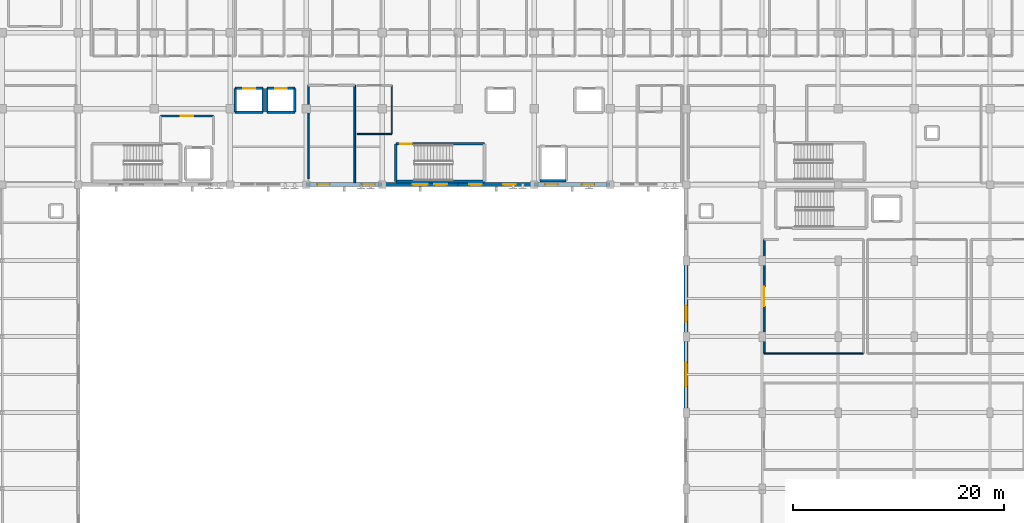
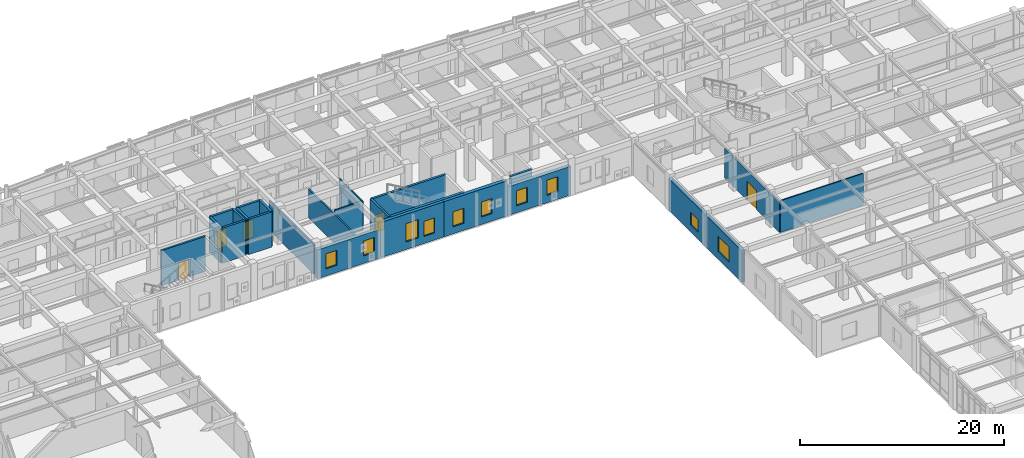
# One storey, part 80 of 106: 25 walls, 10 windows, 5 doors, 15 openings.
"""IFC4 building model written with IfcOpenShell, lengths in metres."""

from ifc_helpers import new_model, si_unit, direction, frame, frame_2d, origin, place, context, subcontext, project, spatial, rectangle, extrude, material, layer, layer_set, type_object, element, fill, save


model = new_model("IFC4")

# Units and contexts
model_context = context("Model", 3, precision=1e-05, world=origin(), true_north=direction((0.0, 1.0)))
body_context = subcontext(model_context, "Body", "Model", "MODEL_VIEW")
ifc_project = project(units=[si_unit("LENGTHUNIT", "METRE"), si_unit("AREAUNIT", "SQUARE_METRE"), si_unit("VOLUMEUNIT", "CUBIC_METRE"), si_unit("PLANEANGLEUNIT", "RADIAN"), si_unit("MASSUNIT", "GRAM", prefix="KILO")], contexts=[model_context])

# Site, building, storey
site_placement = place(None, origin())
site = spatial("IfcSite", under=ifc_project, at=site_placement, CompositionType="ELEMENT")
building_placement = place(site_placement, origin())
building = spatial("IfcBuilding", under=site, at=building_placement, Name="Carrowvane Square Congress Hotel", CompositionType="ELEMENT")
storey_placement = place(building_placement, frame((0.0, 0.0, 10.5)))
storey = spatial("IfcBuildingStorey", under=building, at=storey_placement, Name="L02", CompositionType="ELEMENT", Elevation=10.5)

# Wall, opening, window
ifc_material_1 = material(Name="Glazed terracotta rainscreen", Category="masonry")
ifc_layer_1 = layer(ifc_material_1, 0.360107421875)
ifc_layer_set_1 = layer_set([ifc_layer_1], Name="Glazed terracotta rainscreen")
wall_type_1 = type_object("IfcWallType", Name="WL-EXT-TC360", PredefinedType="STANDARD", material=ifc_layer_set_1)
wall_1_placement = place(storey_placement, frame((126.800048828125, 70.199951171875, 0.0), z_axis=(0.0, 0.0, 1.0), x_axis=(0.0, 1.0, 0.0)))
wall_1 = element("IfcWall", 1, at=wall_1_placement, inside=storey, type_object=wall_type_1, Name="L02 exterior facade wall 312", PredefinedType="STANDARD", context=body_context, shape_type="SweptSolid", body=[
    extrude(rectangle(XDim=7.199951171875, YDim=0.360107421875, at=frame_2d((3.60009765625, 0.0))), origin(), (0.0, 0.0, 1.0), 3.795654296875),
])
opening_1_placement = place(wall_1_placement, frame((2.47509765625, 0.0, 0.89990234375)))
opening_1 = element("IfcOpeningElement", 2, at=opening_1_placement, cuts=wall_1, Name="Opening W-27", PredefinedType="OPENING", context=body_context, shape_type="SweptSolid", body=[
    extrude(rectangle(XDim=2.25, YDim=1.85009765625, at=frame_2d((1.125, 0.925048828125))), frame((0.0, 0.18994140625, 0.0), z_axis=(0.0, -1.0, 0.0), x_axis=(1.0, 0.0, 0.0)), (0.0, 0.0, 1.0), 0.380126953125),
])
ifc_material_2 = material(Name="Double-glazed low-E glass", Category="glass")
window_type_1 = type_object("IfcWindowType", Name="WIN-27", PartitioningType="SINGLE_PANEL", PredefinedType="WINDOW", material=ifc_material_2)
window_1_placement = place(opening_1_placement, origin())
window_1 = element("IfcWindow", 3, at=window_1_placement, inside=storey, type_object=window_type_1, Name="L02 facade window 129", OverallHeight=1.85009765625, OverallWidth=2.25, PartitioningType="SINGLE_PANEL", PredefinedType="WINDOW", context=body_context, shape_type="SweptSolid", body=[
    extrude(rectangle(XDim=2.25, YDim=1.85009765625, at=frame_2d((1.125, 0.925048828125))), frame((0.0, 0.030029296875, 0.0), z_axis=(0.0, -1.0, 0.0), x_axis=(1.0, 0.0, 0.0)), (0.0, 0.0, 1.0), 0.06005859375),
])
fill(opening_1, window_1)

wall_2_placement = place(storey_placement, frame((126.800048828125, 77.39990234375, 0.0), z_axis=(0.0, 0.0, 1.0), x_axis=(0.0, 1.0, 0.0)))
wall_2 = element("IfcWall", 4, at=wall_2_placement, inside=storey, type_object=wall_type_1, Name="L02 exterior facade wall 313", PredefinedType="STANDARD", context=body_context, shape_type="SweptSolid", body=[
    extrude(rectangle(XDim=7.2001953125, YDim=0.360107421875, at=frame_2d((3.60009765625, 0.0))), origin(), (0.0, 0.0, 1.0), 3.795654296875),
])
opening_2_placement = place(wall_2_placement, frame((1.425048828125, 0.0, 0.800048828125)))
opening_2 = element("IfcOpeningElement", 5, at=opening_2_placement, cuts=wall_2, Name="Opening W-15", PredefinedType="OPENING", context=body_context, shape_type="SweptSolid", body=[
    extrude(rectangle(XDim=1.5, YDim=1.5, at=frame_2d((0.75, 0.75))), frame((0.0, 0.18994140625, 0.0), z_axis=(0.0, -1.0, 0.0), x_axis=(1.0, 0.0, 0.0)), (0.0, 0.0, 1.0), 0.380126953125),
])
ifc_material_3 = material(Name="Double-glazed low-E glass", Category="glass")
window_type_2 = type_object("IfcWindowType", Name="WIN-15", PartitioningType="SINGLE_PANEL", PredefinedType="WINDOW", material=ifc_material_3)
window_2_placement = place(opening_2_placement, origin())
window_2 = element("IfcWindow", 6, at=window_2_placement, inside=storey, type_object=window_type_2, Name="L02 facade window 130", OverallHeight=1.5, OverallWidth=1.5, PartitioningType="SINGLE_PANEL", PredefinedType="WINDOW", context=body_context, shape_type="SweptSolid", body=[
    extrude(rectangle(XDim=1.5, YDim=1.5, at=frame_2d((0.75, 0.75))), frame((0.0, 0.030029296875, 0.0), z_axis=(0.0, -1.0, 0.0), x_axis=(1.0, 0.0, 0.0)), (0.0, 0.0, 1.0), 0.06005859375),
])
fill(opening_2, window_2)

# Wall, openings, windows
ifc_material_4 = material(Name="Glazed terracotta rainscreen", Category="masonry")
ifc_layer_2 = layer(ifc_material_4, 0.39990234375)
ifc_layer_set_2 = layer_set([ifc_layer_2], Name="Glazed terracotta rainscreen")
wall_type_2 = type_object("IfcWallType", Name="WL-EXT-TC400", PredefinedType="STANDARD", material=ifc_layer_set_2)
wall_3_placement = place(storey_placement, frame((119.60009765625, 91.800048828125, 0.0), z_axis=(0.0, 0.0, 1.0), x_axis=(-1.0, 0.0, 0.0)))
wall_3 = element("IfcWall", 7, at=wall_3_placement, inside=storey, type_object=wall_type_2, Name="L02 exterior facade wall 316", PredefinedType="STANDARD", context=body_context, shape_type="SweptSolid", body=[
    extrude(rectangle(XDim=7.2001953125, YDim=0.39990234375, at=frame_2d((3.60009765625, 0.0))), origin(), (0.0, 0.0, 1.0), 3.455078125),
])
opening_3_placement = place(wall_3_placement, frame((1.487548828125, 0.0, 0.89990234375)))
opening_3 = element("IfcOpeningElement", 8, at=opening_3_placement, cuts=wall_3, Name="Opening W-01", PredefinedType="OPENING", context=body_context, shape_type="SweptSolid", body=[
    extrude(rectangle(XDim=1.199951171875, YDim=1.800048828125, at=frame_2d((0.60009765625, 0.89990234375))), frame((0.0, 0.2099609375, 0.0), z_axis=(0.0, -1.0, 0.0), x_axis=(1.0, 0.0, 0.0)), (0.0, 0.0, 1.0), 0.419921875),
])
opening_4_placement = place(wall_3_placement, frame((4.949951171875, 0.0, 0.85009765625)))
opening_4 = element("IfcOpeningElement", 9, at=opening_4_placement, cuts=wall_3, Name="Opening W-01", PredefinedType="OPENING", context=body_context, shape_type="SweptSolid", body=[
    extrude(rectangle(XDim=1.199951171875, YDim=1.800048828125, at=frame_2d((0.60009765625, 0.89990234375))), frame((0.0, 0.2099609375, 0.0), z_axis=(0.0, -1.0, 0.0), x_axis=(1.0, 0.0, 0.0)), (0.0, 0.0, 1.0), 0.419921875),
])
ifc_material_5 = material(Name="Double-glazed low-E glass", Category="glass")
window_type_3 = type_object("IfcWindowType", Name="WIN-01", PartitioningType="SINGLE_PANEL", PredefinedType="WINDOW", material=ifc_material_5)
window_3_placement = place(opening_3_placement, origin())
window_3 = element("IfcWindow", 10, at=window_3_placement, inside=storey, type_object=window_type_3, Name="L02 facade window 134", OverallHeight=1.800048828125, OverallWidth=1.199951171875, PartitioningType="SINGLE_PANEL", PredefinedType="WINDOW", context=body_context, shape_type="SweptSolid", body=[
    extrude(rectangle(XDim=1.199951171875, YDim=1.800048828125, at=frame_2d((0.60009765625, 0.89990234375))), frame((0.0, 0.030029296875, 0.0), z_axis=(0.0, -1.0, 0.0), x_axis=(1.0, 0.0, 0.0)), (0.0, 0.0, 1.0), 0.06005859375),
])
fill(opening_3, window_3)
window_4_placement = place(opening_4_placement, origin())
window_4 = element("IfcWindow", 11, at=window_4_placement, inside=storey, type_object=window_type_3, Name="L02 guest bedroom window 135", OverallHeight=1.800048828125, OverallWidth=1.199951171875, PartitioningType="SINGLE_PANEL", PredefinedType="WINDOW", context=body_context, shape_type="SweptSolid", body=[
    extrude(rectangle(XDim=1.199951171875, YDim=1.800048828125, at=frame_2d((0.60009765625, 0.89990234375))), frame((0.0, 0.030029296875, 0.0), z_axis=(0.0, -1.0, 0.0), x_axis=(1.0, 0.0, 0.0)), (0.0, 0.0, 1.0), 0.06005859375),
])
fill(opening_4, window_4)

wall_4_placement = place(storey_placement, frame((112.39990234375, 91.800048828125, 0.0), z_axis=(0.0, 0.0, 1.0), x_axis=(-1.0, 0.0, 0.0)))
wall_4 = element("IfcWall", 12, at=wall_4_placement, inside=storey, type_object=wall_type_2, Name="L02 exterior facade wall 317", PredefinedType="STANDARD", context=body_context, shape_type="SweptSolid", body=[
    extrude(rectangle(XDim=7.199951171875, YDim=0.39990234375, at=frame_2d((3.60009765625, 0.0))), origin(), (0.0, 0.0, 1.0), 4.219970703125),
])
opening_5_placement = place(wall_4_placement, frame((1.75, 0.0, 0.89990234375)))
opening_5 = element("IfcOpeningElement", 13, at=opening_5_placement, cuts=wall_4, Name="Opening W-01", PredefinedType="OPENING", context=body_context, shape_type="SweptSolid", body=[
    extrude(rectangle(XDim=1.199951171875, YDim=1.800048828125, at=frame_2d((0.60009765625, 0.89990234375))), frame((0.0, 0.2099609375, 0.0), z_axis=(0.0, -1.0, 0.0), x_axis=(1.0, 0.0, 0.0)), (0.0, 0.0, 1.0), 0.419921875),
])
opening_6_placement = place(wall_4_placement, frame((4.949951171875, 0.0, 0.85009765625)))
opening_6 = element("IfcOpeningElement", 14, at=opening_6_placement, cuts=wall_4, Name="Opening W-01", PredefinedType="OPENING", context=body_context, shape_type="SweptSolid", body=[
    extrude(rectangle(XDim=1.199951171875, YDim=1.800048828125, at=frame_2d((0.60009765625, 0.89990234375))), frame((0.0, 0.2099609375, 0.0), z_axis=(0.0, -1.0, 0.0), x_axis=(1.0, 0.0, 0.0)), (0.0, 0.0, 1.0), 0.419921875),
])
window_5_placement = place(opening_5_placement, origin())
window_5 = element("IfcWindow", 15, at=window_5_placement, inside=storey, type_object=window_type_3, Name="L02 facade window 136", OverallHeight=1.800048828125, OverallWidth=1.199951171875, PartitioningType="SINGLE_PANEL", PredefinedType="WINDOW", context=body_context, shape_type="SweptSolid", body=[
    extrude(rectangle(XDim=1.199951171875, YDim=1.800048828125, at=frame_2d((0.60009765625, 0.89990234375))), frame((0.0, 0.030029296875, 0.0), z_axis=(0.0, -1.0, 0.0), x_axis=(1.0, 0.0, 0.0)), (0.0, 0.0, 1.0), 0.06005859375),
])
fill(opening_5, window_5)
window_6_placement = place(opening_6_placement, origin())
window_6 = element("IfcWindow", 16, at=window_6_placement, inside=storey, type_object=window_type_3, Name="L02 guest bedroom window 137", OverallHeight=1.800048828125, OverallWidth=1.199951171875, PartitioningType="SINGLE_PANEL", PredefinedType="WINDOW", context=body_context, shape_type="SweptSolid", body=[
    extrude(rectangle(XDim=1.199951171875, YDim=1.800048828125, at=frame_2d((0.60009765625, 0.89990234375))), frame((0.0, 0.030029296875, 0.0), z_axis=(0.0, -1.0, 0.0), x_axis=(1.0, 0.0, 0.0)), (0.0, 0.0, 1.0), 0.06005859375),
])
fill(opening_6, window_6)

wall_5_placement = place(storey_placement, frame((105.199951171875, 91.800048828125, 0.0), z_axis=(0.0, 0.0, 1.0), x_axis=(-1.0, 0.0, 0.0)))
wall_5 = element("IfcWall", 17, at=wall_5_placement, inside=storey, type_object=wall_type_2, Name="L02 exterior facade wall 318", PredefinedType="STANDARD", context=body_context, shape_type="SweptSolid", body=[
    extrude(rectangle(XDim=7.199951171875, YDim=0.39990234375, at=frame_2d((3.60009765625, 0.0))), origin(), (0.0, 0.0, 1.0), 4.219970703125),
])
opening_7_placement = place(wall_5_placement, frame((2.875, 0.0, 0.89990234375)))
opening_7 = element("IfcOpeningElement", 18, at=opening_7_placement, cuts=wall_5, Name="Opening W-33", PredefinedType="OPENING", context=body_context, shape_type="SweptSolid", body=[
    extrude(rectangle(XDim=1.449951171875, YDim=2.199951171875, at=frame_2d((0.72509765625, 1.10009765625))), frame((0.0, 0.2099609375, 0.0), z_axis=(0.0, -1.0, 0.0), x_axis=(1.0, 0.0, 0.0)), (0.0, 0.0, 1.0), 0.419921875),
])
opening_8_placement = place(wall_5_placement, frame((1.050048828125, 0.0, 0.85009765625)))
opening_8 = element("IfcOpeningElement", 19, at=opening_8_placement, cuts=wall_5, Name="Opening W-01", PredefinedType="OPENING", context=body_context, shape_type="SweptSolid", body=[
    extrude(rectangle(XDim=1.199951171875, YDim=1.800048828125, at=frame_2d((0.60009765625, 0.89990234375))), frame((0.0, 0.2099609375, 0.0), z_axis=(0.0, -1.0, 0.0), x_axis=(1.0, 0.0, 0.0)), (0.0, 0.0, 1.0), 0.419921875),
])
window_7_placement = place(opening_8_placement, origin())
window_7 = element("IfcWindow", 20, at=window_7_placement, inside=storey, type_object=window_type_3, Name="L02 guest bedroom window 139", OverallHeight=1.800048828125, OverallWidth=1.199951171875, PartitioningType="SINGLE_PANEL", PredefinedType="WINDOW", context=body_context, shape_type="SweptSolid", body=[
    extrude(rectangle(XDim=1.199951171875, YDim=1.800048828125, at=frame_2d((0.60009765625, 0.89990234375))), frame((0.0, 0.030029296875, 0.0), z_axis=(0.0, -1.0, 0.0), x_axis=(1.0, 0.0, 0.0)), (0.0, 0.0, 1.0), 0.06005859375),
])
fill(opening_8, window_7)
ifc_material_6 = material(Name="Double-glazed low-E glass", Category="glass")
window_type_4 = type_object("IfcWindowType", Name="WIN-33", PartitioningType="SINGLE_PANEL", PredefinedType="WINDOW", material=ifc_material_6)
window_8_placement = place(opening_7_placement, origin())
window_8 = element("IfcWindow", 21, at=window_8_placement, inside=storey, type_object=window_type_4, Name="L02 facade window 138", OverallHeight=2.199951171875, OverallWidth=1.449951171875, PartitioningType="SINGLE_PANEL", PredefinedType="WINDOW", context=body_context, shape_type="SweptSolid", body=[
    extrude(rectangle(XDim=1.449951171875, YDim=2.199951171875, at=frame_2d((0.72509765625, 1.10009765625))), frame((0.0, 0.030029296875, 0.0), z_axis=(0.0, -1.0, 0.0), x_axis=(1.0, 0.0, 0.0)), (0.0, 0.0, 1.0), 0.06005859375),
])
fill(opening_7, window_8)

wall_6_placement = place(storey_placement, frame((98.0, 91.800048828125, 0.0), z_axis=(0.0, 0.0, 1.0), x_axis=(-1.0, 0.0, 0.0)))
wall_6 = element("IfcWall", 22, at=wall_6_placement, inside=storey, type_object=wall_type_2, Name="L02 exterior facade wall 319", PredefinedType="STANDARD", context=body_context, shape_type="SweptSolid", body=[
    extrude(rectangle(XDim=7.199951171875, YDim=0.39990234375, at=frame_2d((3.60009765625, 0.0))), origin(), (0.0, 0.0, 1.0), 3.455078125),
])
opening_9_placement = place(wall_6_placement, frame((0.699951171875, 0.0, 0.89990234375)))
opening_9 = element("IfcOpeningElement", 23, at=opening_9_placement, cuts=wall_6, Name="Opening W-01", PredefinedType="OPENING", context=body_context, shape_type="SweptSolid", body=[
    extrude(rectangle(XDim=1.199951171875, YDim=1.800048828125, at=frame_2d((0.60009765625, 0.89990234375))), frame((0.0, 0.2099609375, 0.0), z_axis=(0.0, -1.0, 0.0), x_axis=(1.0, 0.0, 0.0)), (0.0, 0.0, 1.0), 0.419921875),
])
opening_10_placement = place(wall_6_placement, frame((4.949951171875, 0.0, 0.85009765625)))
opening_10 = element("IfcOpeningElement", 24, at=opening_10_placement, cuts=wall_6, Name="Opening W-01", PredefinedType="OPENING", context=body_context, shape_type="SweptSolid", body=[
    extrude(rectangle(XDim=1.199951171875, YDim=1.800048828125, at=frame_2d((0.60009765625, 0.89990234375))), frame((0.0, 0.2099609375, 0.0), z_axis=(0.0, -1.0, 0.0), x_axis=(1.0, 0.0, 0.0)), (0.0, 0.0, 1.0), 0.419921875),
])
window_9_placement = place(opening_9_placement, origin())
window_9 = element("IfcWindow", 25, at=window_9_placement, inside=storey, type_object=window_type_3, Name="L02 facade window 141", OverallHeight=1.800048828125, OverallWidth=1.199951171875, PartitioningType="SINGLE_PANEL", PredefinedType="WINDOW", context=body_context, shape_type="SweptSolid", body=[
    extrude(rectangle(XDim=1.199951171875, YDim=1.800048828125, at=frame_2d((0.60009765625, 0.89990234375))), frame((0.0, 0.030029296875, 0.0), z_axis=(0.0, -1.0, 0.0), x_axis=(1.0, 0.0, 0.0)), (0.0, 0.0, 1.0), 0.06005859375),
])
fill(opening_9, window_9)
window_10_placement = place(opening_10_placement, origin())
window_10 = element("IfcWindow", 26, at=window_10_placement, inside=storey, type_object=window_type_3, Name="L02 guest bedroom window 142", OverallHeight=1.800048828125, OverallWidth=1.199951171875, PartitioningType="SINGLE_PANEL", PredefinedType="WINDOW", context=body_context, shape_type="SweptSolid", body=[
    extrude(rectangle(XDim=1.199951171875, YDim=1.800048828125, at=frame_2d((0.60009765625, 0.89990234375))), frame((0.0, 0.030029296875, 0.0), z_axis=(0.0, -1.0, 0.0), x_axis=(1.0, 0.0, 0.0)), (0.0, 0.0, 1.0), 0.06005859375),
])
fill(opening_10, window_10)

# Wall
ifc_material_7 = material(Name="Acoustic gypsum board", Category="gypsum")
ifc_layer_3 = layer(ifc_material_7, 0.169921875)
ifc_layer_set_3 = layer_set([ifc_layer_3], Name="Acoustic gypsum board")
wall_type_3 = type_object("IfcWallType", Name="WL-FIR-170", PredefinedType="PARTITIONING", material=ifc_layer_set_3)
wall_7_placement = place(storey_placement, frame((95.39990234375, 101.199951171875, 0.0), z_axis=(0.0, 0.0, 1.0), x_axis=(0.0, -1.0, 0.0)))
element("IfcWall", 27, at=wall_7_placement, inside=storey, type_object=wall_type_3, Name="L02 L02 Housekeeping Linen Pantry partition", PredefinedType="PARTITIONING", context=body_context, shape_type="SweptSolid", body=[
    extrude(rectangle(XDim=9.239990234375, YDim=0.169921875, at=frame_2d((4.6201171875, 0.0))), origin(), (0.0, 0.0, 1.0), 3.455078125),
])

# Wall, opening, door
ifc_material_8 = material(Name="Acoustic gypsum board", Category="gypsum")
ifc_layer_4 = layer(ifc_material_8, 0.18505859375)
ifc_layer_set_4 = layer_set([ifc_layer_4], Name="Acoustic gypsum board")
wall_type_4 = type_object("IfcWallType", Name="WL-FIR-185", PredefinedType="PARTITIONING", material=ifc_layer_set_4)
wall_8_placement = place(storey_placement, frame((134.199951171875, 75.800048828125, 0.0), z_axis=(0.0, 0.0, 1.0), x_axis=(0.0, 1.0, 0.0)))
wall_8 = element("IfcWall", 28, at=wall_8_placement, inside=storey, type_object=wall_type_4, Name="L02 Congress Seminar Room 201 partition", PredefinedType="PARTITIONING", context=body_context, shape_type="SweptSolid", body=[
    extrude(rectangle(XDim=10.800048828125, YDim=0.18505859375, at=frame_2d((5.39990234375, 0.0))), origin(), (0.0, 0.0, 1.0), 3.554931640625),
])
opening_11_placement = place(wall_8_placement, frame((4.47509765625, 0.0, 0.0)))
opening_11 = element("IfcOpeningElement", 29, at=opening_11_placement, cuts=wall_8, Name="Opening ID-13", PredefinedType="OPENING", context=body_context, shape_type="SweptSolid", body=[
    extrude(rectangle(XDim=1.85009765625, YDim=2.300048828125, at=frame_2d((0.925048828125, 1.14990234375))), frame((0.0, 0.1025390625, 0.0), z_axis=(0.0, -1.0, 0.0), x_axis=(1.0, 0.0, 0.0)), (0.0, 0.0, 1.0), 0.205078125),
])
ifc_material_9 = material(Name="European oak timber", Category="wood")
door_type_1 = type_object("IfcDoorType", Name="DR-INT-1850x2300", OperationType="DOUBLE_DOOR_SINGLE_SWING", PredefinedType="DOOR", material=ifc_material_9)
door_1_placement = place(opening_11_placement, origin())
door_1 = element("IfcDoor", 30, at=door_1_placement, inside=storey, type_object=door_type_1, Name="L02 Congress Seminar Room 201 entrance door", OperationType="DOUBLE_DOOR_SINGLE_SWING", OverallHeight=2.300048828125, OverallWidth=1.85009765625, PredefinedType="DOOR", context=body_context, shape_type="SweptSolid", body=[
    extrude(rectangle(XDim=1.85009765625, YDim=2.300048828125, at=frame_2d((0.925048828125, 1.14990234375))), frame((0.0, 0.02490234375, 0.0), z_axis=(0.0, -1.0, 0.0), x_axis=(1.0, 0.0, 0.0)), (0.0, 0.0, 1.0), 0.050048828125),
])
fill(opening_11, door_1)

ifc_material_10 = material(Name="Acoustic gypsum board", Category="gypsum")
ifc_layer_5 = layer(ifc_material_10, 0.205078125)
ifc_layer_set_5 = layer_set([ifc_layer_5], Name="Acoustic gypsum board")
wall_type_5 = type_object("IfcWallType", Name="WL-FIR-205", PredefinedType="PARTITIONING", material=ifc_layer_set_5)
wall_9_placement = place(storey_placement, frame((82.0, 98.300048828125, 0.0), z_axis=(0.0, 0.0, 1.0), x_axis=(-1.0, 0.0, 0.0)))
wall_9 = element("IfcWall", 31, at=wall_9_placement, inside=storey, type_object=wall_type_5, Name="L02 Firefighting Lobby C2 wall north", PredefinedType="PARTITIONING", context=body_context, shape_type="SweptSolid", body=[
    extrude(rectangle(XDim=5.0, YDim=0.205078125, at=frame_2d((2.5, 0.0))), origin(), (0.0, 0.0, 1.0), 4.219970703125),
])
opening_12_placement = place(wall_9_placement, frame((1.89990234375, 0.0, 0.0)))
opening_12 = element("IfcOpeningElement", 32, at=opening_12_placement, cuts=wall_9, Name="Opening FD-02", PredefinedType="OPENING", context=body_context, shape_type="SweptSolid", body=[
    extrude(rectangle(XDim=1.199951171875, YDim=2.10009765625, at=frame_2d((0.60009765625, 1.050048828125))), frame((0.0, 0.112548828125, 0.0), z_axis=(0.0, -1.0, 0.0), x_axis=(1.0, 0.0, 0.0)), (0.0, 0.0, 1.0), 0.22509765625),
])
ifc_material_11 = material(Name="European oak timber", Category="wood")
door_type_2 = type_object("IfcDoorType", Name="DR-FD60-1200x2100", OperationType="NOTDEFINED", PredefinedType="DOOR", material=ifc_material_11)
door_2_placement = place(opening_12_placement, origin())
door_2 = element("IfcDoor", 33, at=door_2_placement, inside=storey, type_object=door_type_2, Name="L02 Firefighting Lobby C2 entrance door", OperationType="SINGLE_SWING_RIGHT", OverallHeight=2.10009765625, OverallWidth=1.199951171875, PredefinedType="DOOR", context=body_context, shape_type="SweptSolid", body=[
    extrude(rectangle(XDim=1.199951171875, YDim=2.10009765625, at=frame_2d((0.60009765625, 1.050048828125))), frame((0.0, 0.02490234375, 0.0), z_axis=(0.0, -1.0, 0.0), x_axis=(1.0, 0.0, 0.0)), (0.0, 0.0, 1.0), 0.050048828125),
])
fill(opening_12, door_2)

# Walls
ifc_material_12 = material(Name="Acoustic gypsum board", Category="gypsum")
ifc_layer_6 = layer(ifc_material_12, 0.117919921875)
ifc_layer_set_6 = layer_set([ifc_layer_6], Name="Acoustic gypsum board")
wall_type_6 = type_object("IfcWallType", Name="WL-PRT-118", PredefinedType="PARTITIONING", material=ifc_layer_set_6)
wall_10_placement = place(storey_placement, frame((98.89990234375, 96.60009765625, 0.0), z_axis=(0.0, 0.0, 1.0), x_axis=(-1.0, 0.0, 0.0)))
element("IfcWall", 34, at=wall_10_placement, inside=storey, type_object=wall_type_6, Name="L02 L02 Accessible Guest WC partition", PredefinedType="PARTITIONING", context=body_context, shape_type="SweptSolid", body=[
    extrude(rectangle(XDim=3.25, YDim=0.117919921875, at=frame_2d((1.625, 0.0))), origin(), (0.0, 0.0, 1.0), 3.554931640625),
])
ifc_material_13 = material(Name="Acoustic gypsum board", Category="gypsum")
ifc_layer_7 = layer(ifc_material_13, 0.1279296875)
ifc_layer_set_7 = layer_set([ifc_layer_7], Name="Acoustic gypsum board")
wall_type_7 = type_object("IfcWallType", Name="WL-PRT-128", PredefinedType="PARTITIONING", material=ifc_layer_set_7)
wall_11_placement = place(storey_placement, frame((98.89990234375, 101.199951171875, 0.0), z_axis=(0.0, 0.0, 1.0), x_axis=(0.0, -1.0, 0.0)))
element("IfcWall", 35, at=wall_11_placement, inside=storey, type_object=wall_type_7, Name="L02 L02 Accessible Guest WC partition", PredefinedType="PARTITIONING", context=body_context, shape_type="SweptSolid", body=[
    extrude(rectangle(XDim=4.599853515625, YDim=0.1279296875, at=frame_2d((2.2998046875, 0.0))), origin(), (0.0, 0.0, 1.0), 3.455078125),
])
ifc_material_14 = material(Name="Acoustic gypsum board", Category="gypsum")
ifc_layer_8 = layer(ifc_material_14, 0.137939453125)
ifc_layer_set_8 = layer_set([ifc_layer_8], Name="Acoustic gypsum board")
wall_type_8 = type_object("IfcWallType", Name="WL-PRT-138", PredefinedType="PARTITIONING", material=ifc_layer_set_8)
wall_12_placement = place(storey_placement, frame((91.0, 92.3701171875, 0.0), z_axis=(0.0, 0.0, 1.0), x_axis=(0.0, 1.0, 0.0)))
element("IfcWall", 36, at=wall_12_placement, inside=storey, type_object=wall_type_8, Name="L02 L02 Housekeeping Linen Pantry partition", PredefinedType="PARTITIONING", context=body_context, shape_type="SweptSolid", body=[
    extrude(rectangle(XDim=8.829833984375, YDim=0.137939453125, at=frame_2d((4.4150390625, 0.0))), origin(), (0.0, 0.0, 1.0), 3.554931640625),
])
wall_13_placement = place(storey_placement, frame((143.60009765625, 75.800048828125, 0.0), z_axis=(0.0, 0.0, 1.0), x_axis=(-1.0, 0.0, 0.0)))
element("IfcWall", 37, at=wall_13_placement, inside=storey, type_object=wall_type_8, Name="L02 Congress Seminar Room 201 partition", PredefinedType="PARTITIONING", context=body_context, shape_type="SweptSolid", body=[
    extrude(rectangle(XDim=9.400146484375, YDim=0.137939453125, at=frame_2d((4.7001953125, 0.0))), origin(), (0.0, 0.0, 1.0), 3.795654296875),
])
ifc_material_15 = material(Name="Concrete C40/50", Category="concrete")
ifc_layer_9 = layer(ifc_material_15, 0.22509765625)
ifc_layer_set_9 = layer_set([ifc_layer_9], Name="Concrete C40/50")
wall_type_9 = type_object("IfcWallType", Name="WL-SHR-225", PredefinedType="SHEAR", material=ifc_layer_set_9)
wall_14_placement = place(storey_placement, frame((99.300048828125, 95.659912109375, 0.0), z_axis=(0.0, 0.0, 1.0), x_axis=(0.0, -1.0, 0.0)))
element("IfcWall", 38, at=wall_14_placement, inside=storey, type_object=wall_type_9, Name="L02 ST3 core wall west", PredefinedType="SHEAR", context=body_context, shape_type="SweptSolid", body=[
    extrude(rectangle(XDim=3.559814453125, YDim=0.22509765625, at=frame_2d((1.77978515625, 0.0))), origin(), (0.0, 0.0, 1.0), 4.219970703125),
])

# Wall, opening, door
ifc_material_16 = material(Name="Concrete C40/50", Category="concrete")
ifc_layer_10 = layer(ifc_material_16, 0.25)
ifc_layer_set_10 = layer_set([ifc_layer_10], Name="Concrete C40/50")
wall_type_10 = type_object("IfcWallType", Name="WL-SHR-250", PredefinedType="SHEAR", material=ifc_layer_set_10)
wall_15_placement = place(storey_placement, frame((107.699951171875, 95.659912109375, 0.0), z_axis=(0.0, 0.0, 1.0), x_axis=(-1.0, 0.0, 0.0)))
wall_15 = element("IfcWall", 39, at=wall_15_placement, inside=storey, type_object=wall_type_10, Name="L02 ST3 core wall north", PredefinedType="SHEAR", context=body_context, shape_type="SweptSolid", body=[
    extrude(rectangle(XDim=8.39990234375, YDim=0.25, at=frame_2d((4.199951171875, 0.0))), origin(), (0.0, 0.0, 1.0), 4.219970703125),
])
opening_13_placement = place(wall_15_placement, frame((6.909912109375, 0.0, 0.0)))
opening_13 = element("IfcOpeningElement", 40, at=opening_13_placement, cuts=wall_15, Name="Opening FD-01", PredefinedType="OPENING", context=body_context, shape_type="SweptSolid", body=[
    extrude(rectangle(XDim=1.10009765625, YDim=2.10009765625, at=frame_2d((0.550048828125, 1.050048828125))), frame((0.0, 0.135009765625, 0.0), z_axis=(0.0, -1.0, 0.0), x_axis=(1.0, 0.0, 0.0)), (0.0, 0.0, 1.0), 0.27001953125),
])
ifc_material_17 = material(Name="European oak timber", Category="wood")
door_type_3 = type_object("IfcDoorType", Name="DR-FD60-1100x2100", OperationType="NOTDEFINED", PredefinedType="DOOR", material=ifc_material_17)
door_3_placement = place(opening_13_placement, origin())
door_3 = element("IfcDoor", 41, at=door_3_placement, inside=storey, type_object=door_type_3, Name="L02 ST3 fire door", OperationType="SINGLE_SWING_RIGHT", OverallHeight=2.10009765625, OverallWidth=1.10009765625, PredefinedType="DOOR", context=body_context, shape_type="SweptSolid", body=[
    extrude(rectangle(XDim=1.10009765625, YDim=2.10009765625, at=frame_2d((0.550048828125, 1.050048828125))), frame((0.0, 0.02490234375, 0.0), z_axis=(0.0, -1.0, 0.0), x_axis=(1.0, 0.0, 0.0)), (0.0, 0.0, 1.0), 0.050048828125),
])
fill(opening_13, door_3)

# Walls
wall_16_placement = place(storey_placement, frame((84.074951171875, 98.675048828125, 0.0), z_axis=(0.0, 0.0, 1.0), x_axis=(1.0, 0.0, 0.0)))
element("IfcWall", 42, at=wall_16_placement, inside=storey, type_object=wall_type_10, Name="L02 HL-1 shaft wall south", PredefinedType="SHEAR", context=body_context, shape_type="SweptSolid", body=[
    extrude(rectangle(XDim=2.650146484375, YDim=0.25, at=frame_2d((1.3251953125, 0.0))), origin(), (0.0, 0.0, 1.0), 4.219970703125),
])
wall_17_placement = place(storey_placement, frame((86.72509765625, 98.675048828125, 0.0), z_axis=(0.0, 0.0, 1.0), x_axis=(0.0, 1.0, 0.0)))
element("IfcWall", 43, at=wall_17_placement, inside=storey, type_object=wall_type_10, Name="L02 HL-1 shaft wall east", PredefinedType="SHEAR", context=body_context, shape_type="SweptSolid", body=[
    extrude(rectangle(XDim=2.25, YDim=0.25, at=frame_2d((1.125, 0.0))), origin(), (0.0, 0.0, 1.0), 4.219970703125),
])

# Wall, opening, door
wall_18_placement = place(storey_placement, frame((86.72509765625, 100.925048828125, 0.0), z_axis=(0.0, 0.0, 1.0), x_axis=(-1.0, 0.0, 0.0)))
wall_18 = element("IfcWall", 44, at=wall_18_placement, inside=storey, type_object=wall_type_10, Name="L02 HL-1 shaft wall north", PredefinedType="SHEAR", context=body_context, shape_type="SweptSolid", body=[
    extrude(rectangle(XDim=2.650146484375, YDim=0.25, at=frame_2d((1.3251953125, 0.0))), origin(), (0.0, 0.0, 1.0), 4.219970703125),
])
opening_14_placement = place(wall_18_placement, frame((0.77490234375, 0.0, 0.0)))
opening_14 = element("IfcOpeningElement", 45, at=opening_14_placement, cuts=wall_18, Name="Opening LD-HL-1", PredefinedType="OPENING", context=body_context, shape_type="SweptSolid", body=[
    extrude(rectangle(XDim=1.10009765625, YDim=2.14990234375, at=frame_2d((0.550048828125, 1.074951171875))), frame((0.0, 0.135009765625, 0.0), z_axis=(0.0, -1.0, 0.0), x_axis=(1.0, 0.0, 0.0)), (0.0, 0.0, 1.0), 0.27001953125),
])
ifc_material_18 = material(Name="Stainless steel 316", Category="steel")
door_type_4 = type_object("IfcDoorType", Name="DR-LD-1100x2150", OperationType="DOUBLE_DOOR_SLIDING", PredefinedType="DOOR", material=ifc_material_18)
door_4_placement = place(opening_14_placement, origin())
door_4 = element("IfcDoor", 46, at=door_4_placement, inside=storey, type_object=door_type_4, Name="L02 HL-1 sliding lift landing door", OperationType="DOUBLE_DOOR_SLIDING", OverallHeight=2.14990234375, OverallWidth=1.10009765625, PredefinedType="DOOR", context=body_context, shape_type="SweptSolid", body=[
    extrude(rectangle(XDim=1.10009765625, YDim=2.14990234375, at=frame_2d((0.550048828125, 1.074951171875))), frame((0.0, 0.02490234375, 0.0), z_axis=(0.0, -1.0, 0.0), x_axis=(1.0, 0.0, 0.0)), (0.0, 0.0, 1.0), 0.050048828125),
])
fill(opening_14, door_4)

# Walls
wall_19_placement = place(storey_placement, frame((84.074951171875, 100.925048828125, 0.0), z_axis=(0.0, 0.0, 1.0), x_axis=(0.0, -1.0, 0.0)))
element("IfcWall", 47, at=wall_19_placement, inside=storey, type_object=wall_type_10, Name="L02 HL-1 shaft wall west", PredefinedType="SHEAR", context=body_context, shape_type="SweptSolid", body=[
    extrude(rectangle(XDim=2.25, YDim=0.25, at=frame_2d((1.125, 0.0))), origin(), (0.0, 0.0, 1.0), 4.219970703125),
])
wall_20_placement = place(storey_placement, frame((87.074951171875, 98.675048828125, 0.0), z_axis=(0.0, 0.0, 1.0), x_axis=(1.0, 0.0, 0.0)))
element("IfcWall", 48, at=wall_20_placement, inside=storey, type_object=wall_type_10, Name="L02 HL-2 shaft wall south", PredefinedType="SHEAR", context=body_context, shape_type="SweptSolid", body=[
    extrude(rectangle(XDim=2.650146484375, YDim=0.25, at=frame_2d((1.3251953125, 0.0))), origin(), (0.0, 0.0, 1.0), 4.219970703125),
])
wall_21_placement = place(storey_placement, frame((89.72509765625, 98.675048828125, 0.0), z_axis=(0.0, 0.0, 1.0), x_axis=(0.0, 1.0, 0.0)))
element("IfcWall", 49, at=wall_21_placement, inside=storey, type_object=wall_type_10, Name="L02 HL-2 shaft wall east", PredefinedType="SHEAR", context=body_context, shape_type="SweptSolid", body=[
    extrude(rectangle(XDim=2.25, YDim=0.25, at=frame_2d((1.125, 0.0))), origin(), (0.0, 0.0, 1.0), 4.219970703125),
])

# Wall, opening, door
wall_22_placement = place(storey_placement, frame((89.72509765625, 100.925048828125, 0.0), z_axis=(0.0, 0.0, 1.0), x_axis=(-1.0, 0.0, 0.0)))
wall_22 = element("IfcWall", 50, at=wall_22_placement, inside=storey, type_object=wall_type_10, Name="L02 HL-2 shaft wall north", PredefinedType="SHEAR", context=body_context, shape_type="SweptSolid", body=[
    extrude(rectangle(XDim=2.650146484375, YDim=0.25, at=frame_2d((1.3251953125, 0.0))), origin(), (0.0, 0.0, 1.0), 4.219970703125),
])
opening_15_placement = place(wall_22_placement, frame((0.77490234375, 0.0, 0.0)))
opening_15 = element("IfcOpeningElement", 51, at=opening_15_placement, cuts=wall_22, Name="Opening LD-HL-2", PredefinedType="OPENING", context=body_context, shape_type="SweptSolid", body=[
    extrude(rectangle(XDim=1.10009765625, YDim=2.14990234375, at=frame_2d((0.550048828125, 1.074951171875))), frame((0.0, 0.135009765625, 0.0), z_axis=(0.0, -1.0, 0.0), x_axis=(1.0, 0.0, 0.0)), (0.0, 0.0, 1.0), 0.27001953125),
])
door_5_placement = place(opening_15_placement, origin())
door_5 = element("IfcDoor", 52, at=door_5_placement, inside=storey, type_object=door_type_4, Name="L02 HL-2 sliding lift landing door", OperationType="DOUBLE_DOOR_SLIDING", OverallHeight=2.14990234375, OverallWidth=1.10009765625, PredefinedType="DOOR", context=body_context, shape_type="SweptSolid", body=[
    extrude(rectangle(XDim=1.10009765625, YDim=2.14990234375, at=frame_2d((0.550048828125, 1.074951171875))), frame((0.0, 0.02490234375, 0.0), z_axis=(0.0, -1.0, 0.0), x_axis=(1.0, 0.0, 0.0)), (0.0, 0.0, 1.0), 0.050048828125),
])
fill(opening_15, door_5)

# Walls
wall_23_placement = place(storey_placement, frame((87.074951171875, 100.925048828125, 0.0), z_axis=(0.0, 0.0, 1.0), x_axis=(0.0, -1.0, 0.0)))
element("IfcWall", 53, at=wall_23_placement, inside=storey, type_object=wall_type_10, Name="L02 HL-2 shaft wall west", PredefinedType="SHEAR", context=body_context, shape_type="SweptSolid", body=[
    extrude(rectangle(XDim=2.25, YDim=0.25, at=frame_2d((1.125, 0.0))), origin(), (0.0, 0.0, 1.0), 4.219970703125),
])
wall_24_placement = place(storey_placement, frame((112.97509765625, 92.175048828125, 0.0), z_axis=(0.0, 0.0, 1.0), x_axis=(1.0, 0.0, 0.0)))
element("IfcWall", 54, at=wall_24_placement, inside=storey, type_object=wall_type_10, Name="L02 SL-2 shaft wall south", PredefinedType="SHEAR", context=body_context, shape_type="SweptSolid", body=[
    extrude(rectangle(XDim=2.449951171875, YDim=0.25, at=frame_2d((1.22509765625, 0.0))), origin(), (0.0, 0.0, 1.0), 4.219970703125),
])
ifc_material_19 = material(Name="Concrete C40/50", Category="concrete")
ifc_layer_11 = layer(ifc_material_19, 0.300048828125)
ifc_layer_set_11 = layer_set([ifc_layer_11], Name="Concrete C40/50")
wall_type_11 = type_object("IfcWallType", Name="WL-SHR-300", PredefinedType="SHEAR", material=ifc_layer_set_11)
wall_25_placement = place(storey_placement, frame((99.300048828125, 92.10009765625, 0.0), z_axis=(0.0, 0.0, 1.0), x_axis=(1.0, 0.0, 0.0)))
element("IfcWall", 55, at=wall_25_placement, inside=storey, type_object=wall_type_11, Name="L02 ST3 core wall south", PredefinedType="SHEAR", context=body_context, shape_type="SweptSolid", body=[
    extrude(rectangle(XDim=8.39990234375, YDim=0.300048828125, at=frame_2d((4.199951171875, 0.0))), origin(), (0.0, 0.0, 1.0), 4.219970703125),
])

save(model, "model.ifc")
